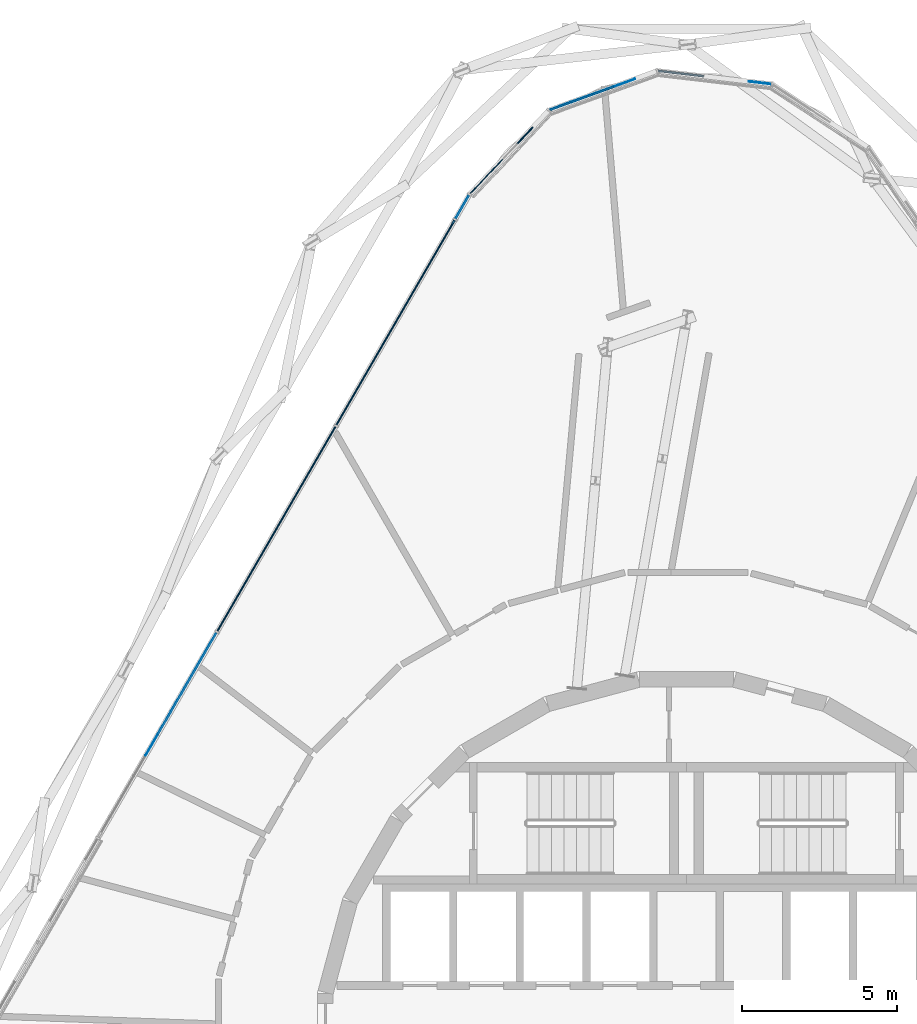
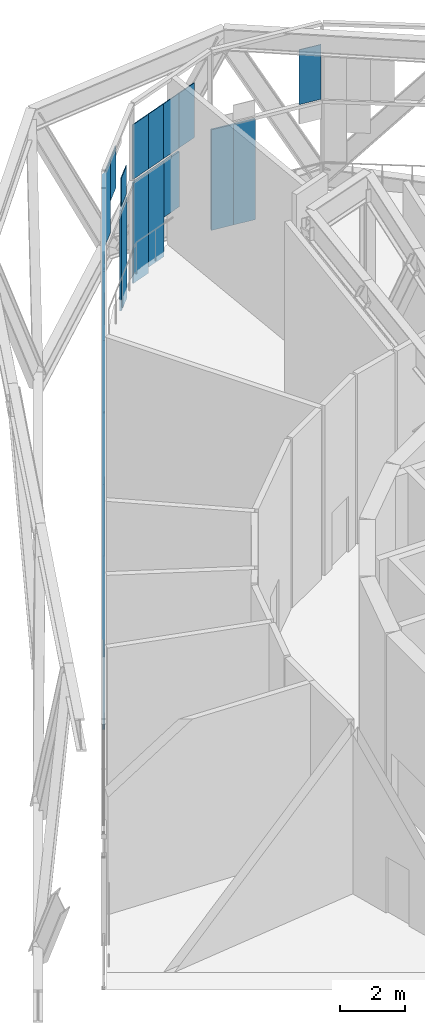
# One storey, part 18 of 29: 30 plates, 2 elements without a shape of their own.
"""IFC4 building model written with IfcOpenShell, lengths in metres."""

from ifc_helpers import new_model, si_unit, direction, frame, origin, origin_2d, place, context, subcontext, project, spatial, rectangle, extrude, material, layer, layer_set, type_object, element, aggregate, save


model = new_model("IFC4")

# Units and contexts
model_context = context("Model", 3, precision=1e-05, world=origin(), true_north=direction((0.0, 1.0)))
body_context = subcontext(model_context, "Body", "Model", "MODEL_VIEW")
ifc_project = project(units=[si_unit("LENGTHUNIT", "METRE"), si_unit("AREAUNIT", "SQUARE_METRE"), si_unit("VOLUMEUNIT", "CUBIC_METRE"), si_unit("PLANEANGLEUNIT", "RADIAN"), si_unit("MASSUNIT", "GRAM", prefix="KILO")], contexts=[model_context])

# Site, building, storey
site_placement = place(None, origin())
site = spatial("IfcSite", under=ifc_project, at=site_placement, CompositionType="ELEMENT")
building_placement = place(site_placement, origin())
building = spatial("IfcBuilding", under=site, at=building_placement, Name="Spindle Arch Residences", CompositionType="ELEMENT")
storey_placement = place(building_placement, frame((0.0, 0.0, 69.89990234375)))
storey = spatial("IfcBuildingStorey", under=building, at=storey_placement, Name="L16", CompositionType="ELEMENT", Elevation=69.89990234375)

# Curtain wall, plates
ifc_material_1 = material(Name="Aluminium bronze unitised frame with tinted glass", Category="aluminium")
ifc_layer_1 = layer(ifc_material_1, 0.159912109375)
ifc_layer_set_1 = layer_set([ifc_layer_1], Name="CW-E double-height winter garden wall")
curtain_wall_type = type_object("IfcCurtainWallType", Name="CW-E double-height winter garden wall", PredefinedType="NOTDEFINED", material=ifc_layer_set_1)
curtain_wall_1_placement = place(storey_placement, origin())
curtain_wall_1 = element("IfcCurtainWall", 1, at=curtain_wall_1_placement, inside=storey, type_object=curtain_wall_type, Name="CW-E L16 run 3", PredefinedType="NOTDEFINED")
ifc_material_2 = material(Name="Tinted laminated glass 28 mm", Category="glass")
ifc_layer_2 = layer(ifc_material_2, 0.028076171875)
ifc_layer_set_2 = layer_set([ifc_layer_2], Name="Tinted glass panel 28 mm")
plate_type_1 = type_object("IfcPlateType", Name="Tinted glass panel 28 mm", PredefinedType="CURTAIN_PANEL", material=ifc_layer_set_2)
plate_1_placement = place(storey_placement, frame((2.36962890625, 30.898681640625, 3.460205078125), z_axis=(0.0, 0.0, 1.0), x_axis=(-0.993238357591, 0.116092915414, 0.0)))
plate_1 = element("IfcPlate", 2, at=plate_1_placement, type_object=plate_type_1, Name="CW-E panel 02b.1", PredefinedType="CURTAIN_PANEL", context=body_context, shape_type="SweptSolid", body=[
    extrude(rectangle(XDim=0.7333984375, YDim=0.028076171875, at=origin_2d()), origin(), (0.0, 0.0, 1.0), 2.0458984375),
])
plate_2_placement = place(storey_placement, frame((-2.0, 30.898681640625, 3.460205078125), z_axis=(0.0, 0.0, 1.0), x_axis=(-0.939692621437, -0.342020141538, 0.0)))
plate_2 = element("IfcPlate", 3, at=plate_2_placement, type_object=plate_type_1, Name="CW-E panel 03b.1", PredefinedType="CURTAIN_PANEL", context=body_context, shape_type="SweptSolid", body=[
    extrude(rectangle(XDim=0.7333984375, YDim=0.028076171875, at=origin_2d()), origin(), (0.0, 0.0, 1.0), 2.0458984375),
])
plate_3_placement = place(storey_placement, frame((-2.68896484375, 30.64794921875, 3.460205078125), z_axis=(0.0, 0.0, 1.0), x_axis=(-0.939692621437, -0.342020141538, 0.0)))
plate_3 = element("IfcPlate", 4, at=plate_3_placement, type_object=plate_type_1, Name="CW-E panel 03b.2", PredefinedType="CURTAIN_PANEL", context=body_context, shape_type="SweptSolid", body=[
    extrude(rectangle(XDim=0.7333984375, YDim=0.028076171875, at=origin_2d()), origin(), (0.0, 0.0, 1.0), 2.0458984375),
])
plate_4_placement = place(storey_placement, frame((-3.378173828125, 30.39697265625, 3.460205078125), z_axis=(0.0, 0.0, 1.0), x_axis=(-0.939692621437, -0.342020141538, 0.0)))
plate_4 = element("IfcPlate", 5, at=plate_4_placement, type_object=plate_type_1, Name="CW-E panel 03b.3", PredefinedType="CURTAIN_PANEL", context=body_context, shape_type="SweptSolid", body=[
    extrude(rectangle(XDim=0.7333984375, YDim=0.028076171875, at=origin_2d()), origin(), (0.0, 0.0, 1.0), 2.0458984375),
])
plate_5_placement = place(storey_placement, frame((-4.0673828125, 30.146240234375, 3.460205078125), z_axis=(0.0, 0.0, 1.0), x_axis=(-0.939692621437, -0.342020141538, 0.0)))
plate_5 = element("IfcPlate", 6, at=plate_5_placement, type_object=plate_type_1, Name="CW-E panel 03b.4", PredefinedType="CURTAIN_PANEL", context=body_context, shape_type="SweptSolid", body=[
    extrude(rectangle(XDim=0.7333984375, YDim=0.028076171875, at=origin_2d()), origin(), (0.0, 0.0, 1.0), 2.0458984375),
])
plate_6_placement = place(storey_placement, frame((-5.198486328125, 29.206787109375, 3.460205078125), z_axis=(0.0, 0.0, 1.0), x_axis=(-0.686241639236, -0.727373640284, 0.0)))
plate_6 = element("IfcPlate", 7, at=plate_6_placement, type_object=plate_type_1, Name="CW-E panel 04b.1", PredefinedType="CURTAIN_PANEL", context=body_context, shape_type="SweptSolid", body=[
    extrude(rectangle(XDim=0.716796875, YDim=0.028076171875, at=origin_2d()), origin(), (0.0, 0.0, 1.0), 1.05615234375),
])
plate_7_placement = place(storey_placement, frame((-6.18212890625, 28.1640625, 4.645263671875), z_axis=(0.0, 0.0, 1.0), x_axis=(-0.686241639236, -0.727373640284, 0.0)))
plate_7 = element("IfcPlate", 8, at=plate_7_placement, type_object=plate_type_1, Name="CW-E panel 04b.3", PredefinedType="CURTAIN_PANEL", context=body_context, shape_type="SweptSolid", body=[
    extrude(rectangle(XDim=0.716796875, YDim=0.028076171875, at=origin_2d()), origin(), (0.0, 0.0, 1.0), 1.5849609375),
])
plate_8_placement = place(storey_placement, frame((-6.702392578125, 27.612548828125, 3.460205078125), z_axis=(0.0, 0.0, 1.0), x_axis=(-0.686241639236, -0.727373640284, 0.0)))
plate_8 = element("IfcPlate", 9, at=plate_8_placement, type_object=plate_type_1, Name="CW-E panel 04b.4", PredefinedType="CURTAIN_PANEL", context=body_context, shape_type="SweptSolid", body=[
    extrude(rectangle(XDim=0.7998046875, YDim=0.028076171875, at=origin_2d()), origin(), (0.0, 0.0, 1.0), 2.77001953125),
])
plate_9_placement = place(storey_placement, frame((-7.2333984375, 26.891357421875, 3.460205078125), z_axis=(0.0, 0.0, 1.0), x_axis=(-0.5, -0.866025403784, 0.0)))
plate_9 = element("IfcPlate", 10, at=plate_9_placement, type_object=plate_type_1, Name="CW-E unit 05b", PredefinedType="CURTAIN_PANEL", context=body_context, shape_type="SweptSolid", body=[
    extrude(rectangle(XDim=0.88330078125, YDim=0.028076171875, at=origin_2d()), origin(), (0.0, 0.0, 1.0), 2.77001953125),
])

curtain_wall_2_placement = place(storey_placement, origin())
curtain_wall_2 = element("IfcCurtainWall", 11, at=curtain_wall_2_placement, inside=storey, type_object=curtain_wall_type, Name="CW-E L16 run 4", PredefinedType="NOTDEFINED")
plate_10_placement = place(storey_placement, frame((-8.436767578125, 24.80712890625, 3.460205078125), z_axis=(0.0, 0.0, 1.0), x_axis=(-0.5, -0.866025403784, 0.0)))
plate_10 = element("IfcPlate", 12, at=plate_10_placement, type_object=plate_type_1, Name="CW-E unit 13Ab", PredefinedType="CURTAIN_PANEL", context=body_context, shape_type="SweptSolid", body=[
    extrude(rectangle(XDim=3.81005859375, YDim=0.028076171875, at=origin_2d()), origin(), (0.0, 0.0, 1.0), 2.77001953125),
])
plate_11_placement = place(storey_placement, frame((-10.341796875, 21.50732421875, 3.460205078125), z_axis=(0.0, 0.0, 1.0), x_axis=(-0.5, -0.866025403784, 0.0)))
plate_11 = element("IfcPlate", 13, at=plate_11_placement, type_object=plate_type_1, Name="CW-E unit 13Bb", PredefinedType="CURTAIN_PANEL", context=body_context, shape_type="SweptSolid", body=[
    extrude(rectangle(XDim=3.81005859375, YDim=0.028076171875, at=origin_2d()), origin(), (0.0, 0.0, 1.0), 2.77001953125),
])
plate_12_placement = place(storey_placement, frame((-12.27685546875, 18.156005859375, 3.460205078125), z_axis=(0.0, 0.0, 1.0), x_axis=(-0.5, -0.866025403784, 0.0)))
plate_12 = element("IfcPlate", 14, at=plate_12_placement, type_object=plate_type_1, Name="CW-E unit 14Ab", PredefinedType="CURTAIN_PANEL", context=body_context, shape_type="SweptSolid", body=[
    extrude(rectangle(XDim=3.81005859375, YDim=0.028076171875, at=origin_2d()), origin(), (0.0, 0.0, 1.0), 2.77001953125),
])
plate_13_placement = place(storey_placement, frame((-14.181640625, 14.856201171875, 3.460205078125), z_axis=(0.0, 0.0, 1.0), x_axis=(-0.5, -0.866025403784, 0.0)))
plate_13 = element("IfcPlate", 15, at=plate_13_placement, type_object=plate_type_1, Name="CW-E unit 14Bb", PredefinedType="CURTAIN_PANEL", context=body_context, shape_type="SweptSolid", body=[
    extrude(rectangle(XDim=3.81005859375, YDim=0.028076171875, at=origin_2d()), origin(), (0.0, 0.0, 1.0), 2.77001953125),
])
plate_14_placement = place(storey_placement, frame((-15.67822265625, 12.264404296875, 3.460205078125), z_axis=(0.0, 0.0, 1.0), x_axis=(-0.5, -0.866025403784, 0.0)))
plate_14 = element("IfcPlate", 16, at=plate_14_placement, type_object=plate_type_1, Name="CW-E panel 15Ab.1", PredefinedType="CURTAIN_PANEL", context=body_context, shape_type="SweptSolid", body=[
    extrude(rectangle(XDim=2.0556640625, YDim=0.028076171875, at=origin_2d()), origin(), (0.0, 0.0, 1.0), 2.77001953125),
])
plate_15_placement = place(storey_placement, frame((-16.411376953125, 10.99462890625, 3.460205078125), z_axis=(0.0, 0.0, 1.0), x_axis=(-0.5, -0.866025403784, 0.0)))
plate_15 = element("IfcPlate", 17, at=plate_15_placement, type_object=plate_type_1, Name="CW-E panel 15Ab.2", PredefinedType="CURTAIN_PANEL", context=body_context, shape_type="SweptSolid", body=[
    extrude(rectangle(XDim=0.877197265625, YDim=0.028076171875, at=origin_2d()), origin(), (0.0, 0.0, 1.0), 2.0458984375),
])
plate_16_placement = place(storey_placement, frame((-16.849853515625, 10.23486328125, 3.460205078125), z_axis=(0.0, 0.0, 1.0), x_axis=(-0.5, -0.866025403784, 0.0)))
plate_16 = element("IfcPlate", 18, at=plate_16_placement, type_object=plate_type_1, Name="CW-E panel 15Ab.3", PredefinedType="CURTAIN_PANEL", context=body_context, shape_type="SweptSolid", body=[
    extrude(rectangle(XDim=0.877197265625, YDim=0.028076171875, at=origin_2d()), origin(), (0.0, 0.0, 1.0), 2.0458984375),
])
plate_17_placement = place(storey_placement, frame((-17.259765625, 9.52490234375, 3.460205078125), z_axis=(0.0, 0.0, 1.0), x_axis=(-0.5, -0.866025403784, 0.0)))
plate_17 = element("IfcPlate", 19, at=plate_17_placement, type_object=plate_type_1, Name="CW-E panel 15Bb.1", PredefinedType="CURTAIN_PANEL", context=body_context, shape_type="SweptSolid", body=[
    extrude(rectangle(XDim=0.761962890625, YDim=0.028076171875, at=origin_2d()), origin(), (0.0, 0.0, 1.0), 2.0458984375),
])

# Plate
ifc_material_3 = material(Name="Tinted double glazing over aluminium faced non-combustible spandrel zone (K0)", Category="aluminium")
ifc_layer_3 = layer(ifc_material_3, 0.06005859375)
ifc_layer_set_3 = layer_set([ifc_layer_3], Name="Unitised glass panel with E 60 spandrel zone")
plate_type_2 = type_object("IfcPlateType", Name="Unitised glass panel with E 60 spandrel zone", PredefinedType="CURTAIN_PANEL", material=ifc_layer_set_3)
plate_18_placement = place(storey_placement, frame((0.184326171875, 31.154052734375, -0.419921875), z_axis=(0.0, 0.0, 1.0), x_axis=(-0.993238357591, 0.116092915414, 0.0)))
plate_18 = element("IfcPlate", 20, at=plate_18_placement, type_object=plate_type_2, Name="CW-E panel 02a.2", PredefinedType="CURTAIN_PANEL", context=body_context, shape_type="SweptSolid", body=[
    extrude(rectangle(XDim=0.7333984375, YDim=0.06005859375, at=origin_2d()), origin(), (0.0, 0.0, 1.0), 3.760009765625),
])

plate_19_placement = place(storey_placement, frame((-0.5439453125, 31.239013671875, -0.419921875), z_axis=(0.0, 0.0, 1.0), x_axis=(-0.993238357591, 0.116092915414, 0.0)))
plate_19 = element("IfcPlate", 21, at=plate_19_placement, type_object=plate_type_2, Name="CW-E panel 02a.3", PredefinedType="CURTAIN_PANEL", context=body_context, shape_type="SweptSolid", body=[
    extrude(rectangle(XDim=0.7333984375, YDim=0.06005859375, at=origin_2d()), origin(), (0.0, 0.0, 1.0), 3.760009765625),
])

plate_20_placement = place(storey_placement, frame((-2.68896484375, 30.64794921875, 1.275390625), z_axis=(0.0, 0.0, 1.0), x_axis=(-0.939692621437, -0.342020141538, 0.0)))
plate_20 = element("IfcPlate", 22, at=plate_20_placement, type_object=plate_type_2, Name="CW-E panel 03a.2", PredefinedType="CURTAIN_PANEL", context=body_context, shape_type="SweptSolid", body=[
    extrude(rectangle(XDim=0.7333984375, YDim=0.06005859375, at=origin_2d()), origin(), (0.0, 0.0, 1.0), 2.064697265625),
])

plate_21_placement = place(storey_placement, frame((-3.378173828125, 30.39697265625, -0.19873046875), z_axis=(0.0, 0.0, 1.0), x_axis=(-0.939692621437, -0.342020141538, 0.0)))
plate_21 = element("IfcPlate", 23, at=plate_21_placement, type_object=plate_type_2, Name="CW-E panel 03a.3", PredefinedType="CURTAIN_PANEL", context=body_context, shape_type="SweptSolid", body=[
    extrude(rectangle(XDim=0.7333984375, YDim=0.06005859375, at=origin_2d()), origin(), (0.0, 0.0, 1.0), 3.538818359375),
])

plate_22_placement = place(storey_placement, frame((-4.0673828125, 30.146240234375, -0.419921875), z_axis=(0.0, 0.0, 1.0), x_axis=(-0.939692621437, -0.342020141538, 0.0)))
plate_22 = element("IfcPlate", 24, at=plate_22_placement, type_object=plate_type_2, Name="CW-E panel 03a.4", PredefinedType="CURTAIN_PANEL", context=body_context, shape_type="SweptSolid", body=[
    extrude(rectangle(XDim=0.7333984375, YDim=0.06005859375, at=origin_2d()), origin(), (0.0, 0.0, 1.0), 3.760009765625),
])

plate_23_placement = place(storey_placement, frame((-5.215576171875, 29.188720703125, -0.419921875), z_axis=(0.0, 0.0, 1.0), x_axis=(-0.686241639236, -0.727373640284, 0.0)))
plate_23 = element("IfcPlate", 25, at=plate_23_placement, type_object=plate_type_2, Name="CW-E panel 04a.1", PredefinedType="CURTAIN_PANEL", context=body_context, shape_type="SweptSolid", body=[
    extrude(rectangle(XDim=0.7333984375, YDim=0.06005859375, at=origin_2d()), origin(), (0.0, 0.0, 1.0), 3.760009765625),
])

plate_24_placement = place(storey_placement, frame((-7.2333984375, 26.891357421875, -0.419921875), z_axis=(0.0, 0.0, 1.0), x_axis=(-0.5, -0.866025403784, 0.0)))
plate_24 = element("IfcPlate", 26, at=plate_24_placement, type_object=plate_type_2, Name="CW-E panel 05a.1", PredefinedType="CURTAIN_PANEL", context=body_context, shape_type="SweptSolid", body=[
    extrude(rectangle(XDim=0.88330078125, YDim=0.06005859375, at=origin_2d()), origin(), (0.0, 0.0, 1.0), 3.760009765625),
])

aggregate(curtain_wall_1, [plate_18, plate_19, plate_1, plate_20, plate_21, plate_22, plate_2, plate_3, plate_4, plate_5, plate_23, plate_6, plate_7, plate_8, plate_24, plate_9])

plate_25_placement = place(storey_placement, frame((-7.51611328125, 26.4013671875, -0.42138671875), z_axis=(0.0, 0.0, 1.0), x_axis=(-0.5, -0.866025403784, 0.0)))
plate_25 = element("IfcPlate", 27, at=plate_25_placement, type_object=plate_type_2, Name="CW-E panel 13Aa.1", PredefinedType="CURTAIN_PANEL", context=body_context, shape_type="SweptSolid", body=[
    extrude(rectangle(XDim=0.128173828125, YDim=0.06005859375, at=origin_2d()), origin(), (0.0, 0.0, 1.0), 3.761474609375),
])

plate_26_placement = place(storey_placement, frame((-8.46875, 24.75146484375, -0.449951171875), z_axis=(0.0, 0.0, 1.0), x_axis=(-0.5, -0.866025403784, 0.0)))
plate_26 = element("IfcPlate", 28, at=plate_26_placement, type_object=plate_type_2, Name="CW-E panel 13Aa.2", PredefinedType="CURTAIN_PANEL", context=body_context, shape_type="SweptSolid", body=[
    extrude(rectangle(XDim=3.681884765625, YDim=0.06005859375, at=origin_2d()), origin(), (0.0, 0.0, 1.0), 3.7900390625),
])

plate_27_placement = place(storey_placement, frame((-10.341796875, 21.50732421875, -0.449951171875), z_axis=(0.0, 0.0, 1.0), x_axis=(-0.5, -0.866025403784, 0.0)))
plate_27 = element("IfcPlate", 29, at=plate_27_placement, type_object=plate_type_2, Name="CW-E unit 13Ba", PredefinedType="CURTAIN_PANEL", context=body_context, shape_type="SweptSolid", body=[
    extrude(rectangle(XDim=3.81005859375, YDim=0.06005859375, at=origin_2d()), origin(), (0.0, 0.0, 1.0), 3.7900390625),
])

plate_28_placement = place(storey_placement, frame((-12.27685546875, 18.156005859375, -0.449951171875), z_axis=(0.0, 0.0, 1.0), x_axis=(-0.5, -0.866025403784, 0.0)))
plate_28 = element("IfcPlate", 30, at=plate_28_placement, type_object=plate_type_2, Name="CW-E unit 14Aa", PredefinedType="CURTAIN_PANEL", context=body_context, shape_type="SweptSolid", body=[
    extrude(rectangle(XDim=3.81005859375, YDim=0.06005859375, at=origin_2d()), origin(), (0.0, 0.0, 1.0), 3.7900390625),
])

plate_29_placement = place(storey_placement, frame((-14.181640625, 14.856201171875, -0.449951171875), z_axis=(0.0, 0.0, 1.0), x_axis=(-0.5, -0.866025403784, 0.0)))
plate_29 = element("IfcPlate", 31, at=plate_29_placement, type_object=plate_type_2, Name="CW-E unit 14Ba", PredefinedType="CURTAIN_PANEL", context=body_context, shape_type="SweptSolid", body=[
    extrude(rectangle(XDim=3.81005859375, YDim=0.06005859375, at=origin_2d()), origin(), (0.0, 0.0, 1.0), 3.7900390625),
])

plate_30_placement = place(storey_placement, frame((-16.11669921875, 11.504638671875, -0.449951171875), z_axis=(0.0, 0.0, 1.0), x_axis=(-0.5, -0.866025403784, 0.0)))
plate_30 = element("IfcPlate", 32, at=plate_30_placement, type_object=plate_type_2, Name="CW-E unit 15Aa", PredefinedType="CURTAIN_PANEL", context=body_context, shape_type="SweptSolid", body=[
    extrude(rectangle(XDim=3.81005859375, YDim=0.06005859375, at=origin_2d()), origin(), (0.0, 0.0, 1.0), 3.7900390625),
])

aggregate(curtain_wall_2, [plate_25, plate_26, plate_10, plate_27, plate_11, plate_28, plate_12, plate_29, plate_13, plate_30, plate_14, plate_15, plate_16, plate_17])

save(model, "model.ifc")
